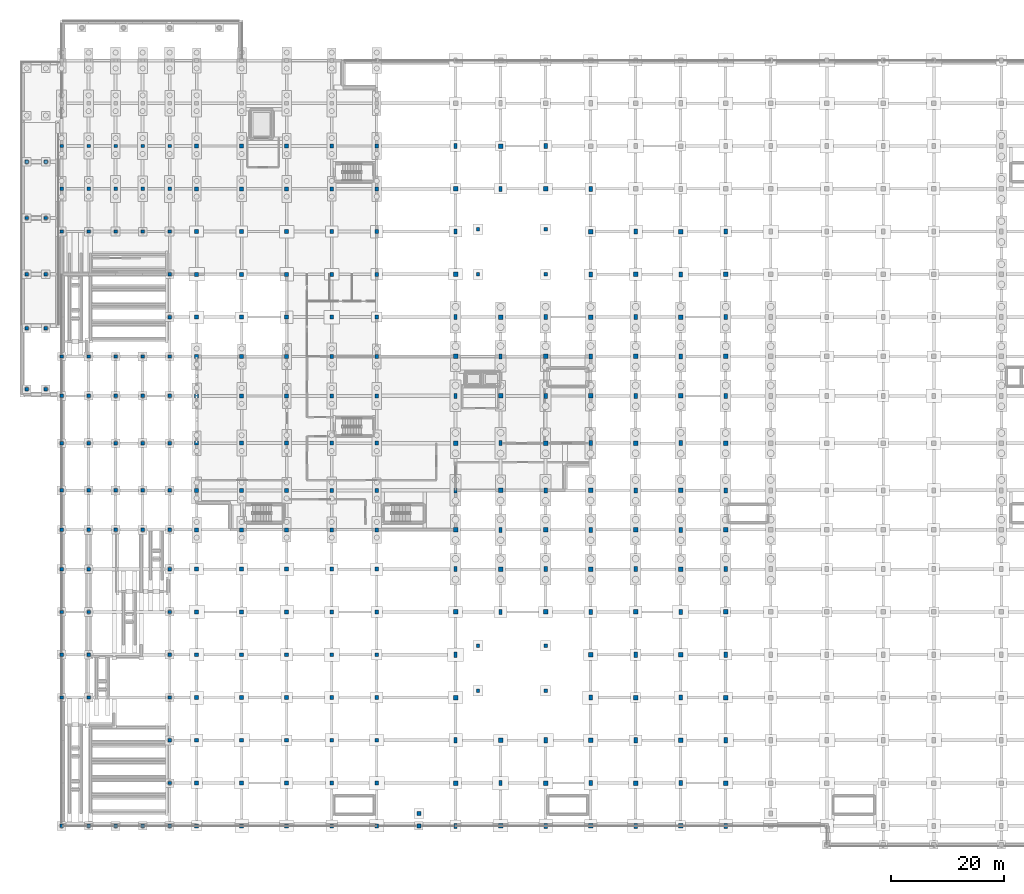
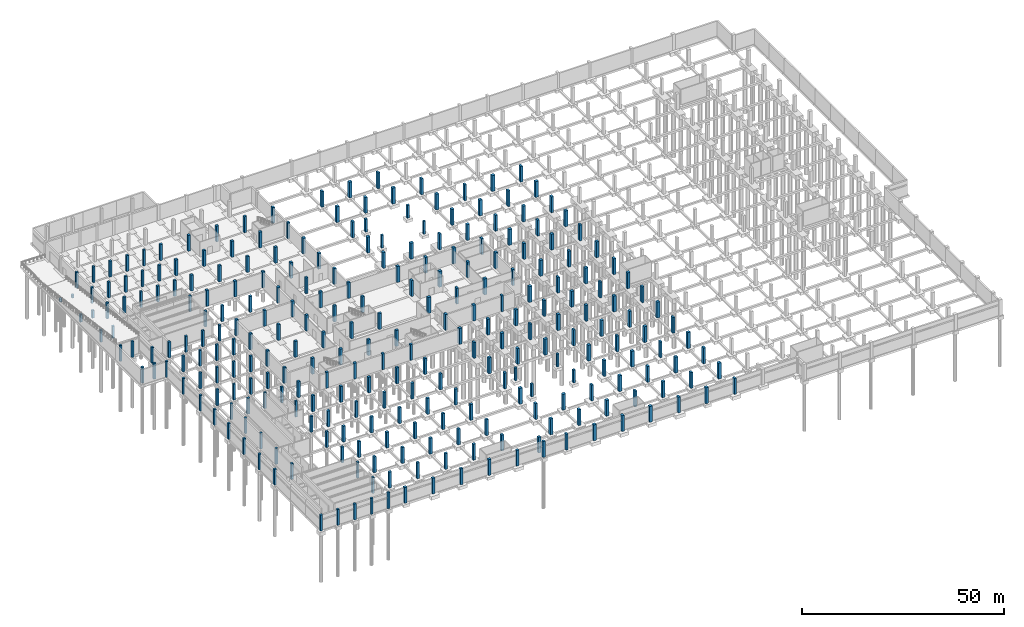
# One storey, part 28 of 50: 270 columns.
"""IFC4 building model written with IfcOpenShell, lengths in metres."""

from ifc_helpers import new_model, si_unit, direction, frame, origin, origin_2d, place, context, subcontext, project, spatial, rectangle, extrude, material, material_profile, profile_set, type_object, element, save


model = new_model("IFC4")

# Units and contexts
model_context = context("Model", 3, precision=1e-05, world=origin(), true_north=direction((0.0, 1.0)))
body_context = subcontext(model_context, "Body", "Model", "MODEL_VIEW")
ifc_project = project(units=[si_unit("LENGTHUNIT", "METRE"), si_unit("AREAUNIT", "SQUARE_METRE"), si_unit("VOLUMEUNIT", "CUBIC_METRE"), si_unit("PLANEANGLEUNIT", "RADIAN"), si_unit("MASSUNIT", "GRAM", prefix="KILO")], contexts=[model_context])

# Site, building, storey
site_placement = place(None, origin())
site = spatial("IfcSite", under=ifc_project, at=site_placement, CompositionType="ELEMENT")
building_placement = place(site_placement, origin())
building = spatial("IfcBuilding", under=site, at=building_placement, Name="Vekula Escarpment Museum", CompositionType="ELEMENT")
storey_placement = place(building_placement, frame((0.0, 0.0, -4.800048828125)))
storey = spatial("IfcBuildingStorey", under=building, at=storey_placement, Name="B1", CompositionType="ELEMENT", Elevation=-4.800048828125)

# Columns
ifc_material_1 = material(Name="Concrete C35/45", Category="concrete")
ifc_material_profile_1 = material_profile(ifc_material_1, rectangle(XDim=0.60009765625, YDim=0.60009765625, at=origin_2d()), Name="RC 600x600")
ifc_profile_set_1 = profile_set([ifc_material_profile_1], Name="Concrete C35/45")
column_type_1 = type_object("IfcColumnType", Name="COL-B1-RC600", PredefinedType="COLUMN", material=ifc_profile_set_1)
for number, where, z_axis, x_axis, name in (
    (1, (0.0, 0.0, 0.0), (0.0, 0.0, 1.0), (1.0, 0.0, 0.0), "Column B1 (0.0,0.0)"),
    (2, (0.0, 22.800048828125, 0.0), (0.0, 0.0, 1.0), (1.0, 0.0, 0.0), "Column B1 (0.0,22.8)"),
    (3, (0.0, 30.39990234375, 0.0), (0.0, 0.0, 1.0), (1.0, 0.0, 0.0), "Column B1 (0.0,30.4)"),
    (4, (0.0, 38.0, 0.0), (0.0, 0.0, 1.0), (1.0, 0.0, 0.0), "Column B1 (0.0,38.0)"),
    (5, (0.0, 45.60009765625, 0.0), (0.0, 0.0, 1.0), (1.0, 0.0, 0.0), "Column B1 (0.0,45.6)"),
    (6, (0.0, 52.60009765625, 0.0), (0.0, 0.0, 1.0), (1.0, 0.0, 0.0), "Column B1 (0.0,52.6)"),
    (7, (0.0, 59.60009765625, 0.0), (0.0, 0.0, 1.0), (1.0, 0.0, 0.0), "Column B1 (0.0,59.6)"),
    (8, (0.0, 68.0, 0.0), (0.0, 0.0, 1.0), (1.0, 0.0, 0.0), "Column B1 (0.0,68.0)"),
    (9, (0.0, 76.39990234375, 0.0), (0.0, 0.0, 1.0), (1.0, 0.0, 0.0), "Column B1 (0.0,76.4)"),
    (10, (0.0, 83.39990234375, 0.0), (0.0, 0.0, 1.0), (1.0, 0.0, 0.0), "Column B1 (0.0,83.4)"),
    (11, (0.0, 105.60009765625, 0.0), (0.0, 0.0, 1.0), (1.0, 0.0, 0.0), "Column B1 (0.0,105.6)"),
    (12, (0.0, 113.199951171875, 0.0), (0.0, 0.0, 1.0), (1.0, 0.0, 0.0), "Column B1 (0.0,113.2)"),
    (13, (0.0, 120.800048828125, 0.0), (0.0, 0.0, 1.0), (1.0, 0.0, 0.0), "Column B1 (0.0,120.8)"),
    (14, (4.800048828125, 0.0, 0.0), (0.0, 0.0, 1.0), (1.0, 0.0, 0.0), "Column B1 (4.8,0.0)"),
    (15, (4.800048828125, 22.800048828125, 0.0), (0.0, 0.0, 1.0), (1.0, 0.0, 0.0), "Column B1 (4.8,22.8)"),
    (16, (4.800048828125, 30.39990234375, 0.0), (0.0, 0.0, 1.0), (1.0, 0.0, 0.0), "Column B1 (4.8,30.4)"),
    (17, (4.800048828125, 38.0, 0.0), (0.0, 0.0, 1.0), (1.0, 0.0, 0.0), "Column B1 (4.8,38.0)"),
    (18, (4.800048828125, 45.60009765625, 0.0), (0.0, 0.0, 1.0), (1.0, 0.0, 0.0), "Column B1 (4.8,45.6)"),
    (19, (4.800048828125, 52.60009765625, 0.0), (0.0, 0.0, 1.0), (1.0, 0.0, 0.0), "Column B1 (4.8,52.6)"),
    (20, (4.800048828125, 59.60009765625, 0.0), (0.0, 0.0, 1.0), (1.0, 0.0, 0.0), "Column B1 (4.8,59.6)"),
    (21, (4.800048828125, 68.0, 0.0), (0.0, 0.0, 1.0), (1.0, 0.0, 0.0), "Column B1 (4.8,68.0)"),
    (22, (4.800048828125, 76.39990234375, 0.0), (0.0, 0.0, 1.0), (1.0, 0.0, 0.0), "Column B1 (4.8,76.4)"),
    (23, (4.800048828125, 83.39990234375, 0.0), (0.0, 0.0, 1.0), (1.0, 0.0, 0.0), "Column B1 (4.8,83.4)"),
    (24, (4.800048828125, 105.60009765625, 0.0), (0.0, 0.0, 1.0), (1.0, 0.0, 0.0), "Column B1 (4.8,105.6)"),
    (25, (4.800048828125, 113.199951171875, 0.0), (0.0, 0.0, 1.0), (1.0, 0.0, 0.0), "Column B1 (4.8,113.2)"),
    (26, (4.800048828125, 120.800048828125, 0.0), (0.0, 0.0, 1.0), (1.0, 0.0, 0.0), "Column B1 (4.8,120.8)"),
    (27, (9.60009765625, 0.0, 0.0), (0.0, 0.0, 1.0), (1.0, 0.0, 0.0), "Column B1 (9.6,0.0)"),
    (28, (9.60009765625, 52.60009765625, 0.0), (0.0, 0.0, 1.0), (1.0, 0.0, 0.0), "Column B1 (9.6,52.6)"),
    (29, (9.60009765625, 59.60009765625, 0.0), (0.0, 0.0, 1.0), (1.0, 0.0, 0.0), "Column B1 (9.6,59.6)"),
    (30, (9.60009765625, 68.0, 0.0), (0.0, 0.0, 1.0), (1.0, 0.0, 0.0), "Column B1 (9.6,68.0)"),
    (31, (9.60009765625, 76.39990234375, 0.0), (0.0, 0.0, 1.0), (1.0, 0.0, 0.0), "Column B1 (9.6,76.4)"),
    (32, (9.60009765625, 83.39990234375, 0.0), (0.0, 0.0, 1.0), (1.0, 0.0, 0.0), "Column B1 (9.6,83.4)"),
    (33, (9.60009765625, 105.60009765625, 0.0), (0.0, 0.0, 1.0), (1.0, 0.0, 0.0), "Column B1 (9.6,105.6)"),
    (34, (9.60009765625, 113.199951171875, 0.0), (0.0, 0.0, 1.0), (1.0, 0.0, 0.0), "Column B1 (9.6,113.2)"),
    (35, (9.60009765625, 120.800048828125, 0.0), (0.0, 0.0, 1.0), (1.0, 0.0, 0.0), "Column B1 (9.6,120.8)"),
    (36, (14.39990234375, 0.0, 0.0), (0.0, 0.0, 1.0), (1.0, 0.0, 0.0), "Column B1 (14.4,0.0)"),
    (37, (14.39990234375, 52.60009765625, 0.0), (0.0, 0.0, 1.0), (1.0, 0.0, 0.0), "Column B1 (14.4,52.6)"),
    (38, (14.39990234375, 59.60009765625, 0.0), (0.0, 0.0, 1.0), (1.0, 0.0, 0.0), "Column B1 (14.4,59.6)"),
    (39, (14.39990234375, 68.0, 0.0), (0.0, 0.0, 1.0), (1.0, 0.0, 0.0), "Column B1 (14.4,68.0)"),
    (40, (14.39990234375, 76.39990234375, 0.0), (0.0, 0.0, 1.0), (1.0, 0.0, 0.0), "Column B1 (14.4,76.4)"),
    (41, (14.39990234375, 83.39990234375, 0.0), (0.0, 0.0, 1.0), (1.0, 0.0, 0.0), "Column B1 (14.4,83.4)"),
    (42, (14.39990234375, 105.60009765625, 0.0), (0.0, 0.0, 1.0), (1.0, 0.0, 0.0), "Column B1 (14.4,105.6)"),
    (43, (14.39990234375, 113.199951171875, 0.0), (0.0, 0.0, 1.0), (1.0, 0.0, 0.0), "Column B1 (14.4,113.2)"),
    (44, (14.39990234375, 120.800048828125, 0.0), (0.0, 0.0, 1.0), (1.0, 0.0, 0.0), "Column B1 (14.4,120.8)"),
    (45, (19.199951171875, 0.0, 0.0), (0.0, 0.0, 1.0), (1.0, 0.0, 0.0), "Column B1 (19.2,0.0)"),
    (46, (19.199951171875, 7.60009765625, 0.0), (0.0, 0.0, 1.0), (1.0, 0.0, 0.0), "Column B1 (19.2,7.6)"),
    (47, (19.199951171875, 15.199951171875, 0.0), (0.0, 0.0, 1.0), (1.0, 0.0, 0.0), "Column B1 (19.2,15.2)"),
    (48, (19.199951171875, 22.800048828125, 0.0), (0.0, 0.0, 1.0), (1.0, 0.0, 0.0), "Column B1 (19.2,22.8)"),
    (49, (19.199951171875, 30.39990234375, 0.0), (0.0, 0.0, 1.0), (1.0, 0.0, 0.0), "Column B1 (19.2,30.4)"),
    (50, (19.199951171875, 38.0, 0.0), (0.0, 0.0, 1.0), (1.0, 0.0, 0.0), "Column B1 (19.2,38.0)"),
    (51, (19.199951171875, 45.60009765625, 0.0), (0.0, 0.0, 1.0), (1.0, 0.0, 0.0), "Column B1 (19.2,45.6)"),
    (52, (19.199951171875, 52.60009765625, 0.0), (0.0, 0.0, 1.0), (1.0, 0.0, 0.0), "Column B1 (19.2,52.6)"),
    (53, (19.199951171875, 59.60009765625, 0.0), (0.0, 0.0, 1.0), (1.0, 0.0, 0.0), "Column B1 (19.2,59.6)"),
    (54, (19.199951171875, 68.0, 0.0), (0.0, 0.0, 1.0), (1.0, 0.0, 0.0), "Column B1 (19.2,68.0)"),
    (55, (19.199951171875, 76.39990234375, 0.0), (0.0, 0.0, 1.0), (1.0, 0.0, 0.0), "Column B1 (19.2,76.4)"),
    (56, (19.199951171875, 83.39990234375, 0.0), (0.0, 0.0, 1.0), (1.0, 0.0, 0.0), "Column B1 (19.2,83.4)"),
    (57, (19.199951171875, 90.39990234375, 0.0), (0.0, 0.0, 1.0), (1.0, 0.0, 0.0), "Column B1 (19.2,90.4)"),
    (58, (19.199951171875, 98.0, 0.0), (0.0, 0.0, 1.0), (1.0, 0.0, 0.0), "Column B1 (19.2,98.0)"),
    (59, (19.199951171875, 105.60009765625, 0.0), (0.0, 0.0, 1.0), (1.0, 0.0, 0.0), "Column B1 (19.2,105.6)"),
    (60, (19.199951171875, 113.199951171875, 0.0), (0.0, 0.0, 1.0), (1.0, 0.0, 0.0), "Column B1 (19.2,113.2)"),
    (61, (19.199951171875, 120.800048828125, 0.0), (0.0, 0.0, 1.0), (1.0, 0.0, 0.0), "Column B1 (19.2,120.8)"),
):
    element("IfcColumn", number, at=place(storey_placement, frame(where, z_axis=z_axis, x_axis=x_axis)), inside=storey, type_object=column_type_1, Name=name, PredefinedType="COLUMN", context=body_context, shape_type="SweptSolid", body=[
        extrude(rectangle(XDim=0.60009765625, YDim=0.60009765625, at=origin_2d()), origin(), (0.0, 0.0, 1.0), 4.800048828125),
    ])
for number, where, z_axis, x_axis, name in (
    (62, (-6.199951171875, 77.60009765625, -0.300048828125), (0.0, 0.0, 1.0), (1.0, 0.0, 0.0), "Vehicle Ramp Support Pier 01"),
    (63, (-2.800048828125, 77.60009765625, -0.300048828125), (0.0, 0.0, 1.0), (1.0, 0.0, 0.0), "Vehicle Ramp Support Pier 02"),
    (64, (-6.199951171875, 88.39990234375, -0.300048828125), (0.0, 0.0, 1.0), (1.0, 0.0, 0.0), "Vehicle Ramp Support Pier 03"),
    (65, (-2.800048828125, 88.39990234375, -0.300048828125), (0.0, 0.0, 1.0), (1.0, 0.0, 0.0), "Vehicle Ramp Support Pier 04"),
):
    element("IfcColumn", number, at=place(storey_placement, frame(where, z_axis=z_axis, x_axis=x_axis)), inside=storey, type_object=column_type_1, Name=name, PredefinedType="COLUMN", context=body_context, shape_type="SweptSolid", body=[
        extrude(rectangle(XDim=0.60009765625, YDim=0.60009765625, at=origin_2d()), origin(), (0.0, 0.0, 1.0), 4.820068359375),
    ])
for number, where, z_axis, x_axis, name in (
    (66, (-6.199951171875, 98.0, -0.300048828125), (0.0, 0.0, 1.0), (1.0, 0.0, 0.0), "Vehicle Ramp Support Pier 05"),
    (67, (-2.800048828125, 98.0, -0.300048828125), (0.0, 0.0, 1.0), (1.0, 0.0, 0.0), "Vehicle Ramp Support Pier 06"),
):
    element("IfcColumn", number, at=place(storey_placement, frame(where, z_axis=z_axis, x_axis=x_axis)), inside=storey, type_object=column_type_1, Name=name, PredefinedType="COLUMN", context=body_context, shape_type="SweptSolid", body=[
        extrude(rectangle(XDim=0.60009765625, YDim=0.60009765625, at=origin_2d()), origin(), (0.0, 0.0, 1.0), 3.6201171875),
    ])
for number, where, z_axis, x_axis, name in (
    (68, (-6.199951171875, 108.0, -0.300048828125), (0.0, 0.0, 1.0), (1.0, 0.0, 0.0), "Vehicle Ramp Support Pier 07"),
    (69, (-2.800048828125, 108.0, -0.300048828125), (0.0, 0.0, 1.0), (1.0, 0.0, 0.0), "Vehicle Ramp Support Pier 08"),
):
    element("IfcColumn", number, at=place(storey_placement, frame(where, z_axis=z_axis, x_axis=x_axis)), inside=storey, type_object=column_type_1, Name=name, PredefinedType="COLUMN", context=body_context, shape_type="SweptSolid", body=[
        extrude(rectangle(XDim=0.60009765625, YDim=0.60009765625, at=origin_2d()), origin(), (0.0, 0.0, 1.0), 2.280029296875),
    ])
for number, where, z_axis, x_axis, name in (
    (70, (-6.199951171875, 118.0, -0.300048828125), (0.0, 0.0, 1.0), (1.0, 0.0, 0.0), "Vehicle Ramp Support Pier 09"),
    (71, (-2.800048828125, 118.0, -0.300048828125), (0.0, 0.0, 1.0), (1.0, 0.0, 0.0), "Vehicle Ramp Support Pier 10"),
):
    element("IfcColumn", number, at=place(storey_placement, frame(where, z_axis=z_axis, x_axis=x_axis)), inside=storey, type_object=column_type_1, Name=name, PredefinedType="COLUMN", context=body_context, shape_type="SweptSolid", body=[
        extrude(rectangle(XDim=0.60009765625, YDim=0.60009765625, at=origin_2d()), origin(), (0.0, 0.0, 1.0), 0.9501953125),
    ])
for number, where, z_axis, x_axis, name in (
    (72, (74.0, 24.0, 0.0), (0.0, 0.0, 1.0), (1.0, 0.0, 0.0), "Basin Support Pier S1"),
    (73, (86.0, 24.0, 0.0), (0.0, 0.0, 1.0), (1.0, 0.0, 0.0), "Basin Support Pier S2"),
    (74, (86.0, 32.0, 0.0), (0.0, 0.0, 1.0), (1.0, 0.0, 0.0), "Basin Support Pier S3"),
    (75, (74.0, 32.0, 0.0), (0.0, 0.0, 1.0), (1.0, 0.0, 0.0), "Basin Support Pier S4"),
    (76, (74.0, 98.0, 0.0), (0.0, 0.0, 1.0), (1.0, 0.0, 0.0), "Basin Support Pier N1"),
    (77, (86.0, 98.0, 0.0), (0.0, 0.0, 1.0), (1.0, 0.0, 0.0), "Basin Support Pier N2"),
    (78, (86.0, 106.0, 0.0), (0.0, 0.0, 1.0), (1.0, 0.0, 0.0), "Basin Support Pier N3"),
    (79, (74.0, 106.0, 0.0), (0.0, 0.0, 1.0), (1.0, 0.0, 0.0), "Basin Support Pier N4"),
):
    element("IfcColumn", number, at=place(storey_placement, frame(where, z_axis=z_axis, x_axis=x_axis)), inside=storey, type_object=column_type_1, Name=name, PredefinedType="COLUMN", context=body_context, shape_type="SweptSolid", body=[
        extrude(rectangle(XDim=0.60009765625, YDim=0.60009765625, at=origin_2d()), origin(), (0.0, 0.0, 1.0), 3.900146484375),
    ])
ifc_material_2 = material(Name="Concrete C35/45", Category="concrete")
ifc_material_profile_2 = material_profile(ifc_material_2, rectangle(XDim=0.60009765625, YDim=0.89990234375, at=origin_2d()), Name="RC 600x900")
ifc_profile_set_2 = profile_set([ifc_material_profile_2], Name="Concrete C35/45")
column_type_2 = type_object("IfcColumnType", Name="COL-B1-RC69", PredefinedType="COLUMN", material=ifc_profile_set_2)
for number, where, z_axis, x_axis, name in (
    (80, (70.0, 0.0, 0.0), (0.0, 0.0, 1.0), (1.0, 0.0, 0.0), "Column B1 (70.0,0.0)"),
    (81, (70.0, 15.199951171875, 0.0), (0.0, 0.0, 1.0), (1.0, 0.0, 0.0), "Column B1 (70.0,15.2)"),
    (82, (70.0, 30.39990234375, 0.0), (0.0, 0.0, 1.0), (1.0, 0.0, 0.0), "Column B1 (70.0,30.4)"),
    (83, (70.0, 45.60009765625, 0.0), (0.0, 0.0, 1.0), (1.0, 0.0, 0.0), "Column B1 (70.0,45.6)"),
    (84, (70.0, 59.60009765625, 0.0), (0.0, 0.0, 1.0), (1.0, 0.0, 0.0), "Column B1 (70.0,59.6)"),
    (85, (70.0, 76.39990234375, 0.0), (0.0, 0.0, 1.0), (1.0, 0.0, 0.0), "Column B1 (70.0,76.4)"),
    (86, (70.0, 90.39990234375, 0.0), (0.0, 0.0, 1.0), (1.0, 0.0, 0.0), "Column B1 (70.0,90.4)"),
    (87, (70.0, 105.60009765625, 0.0), (0.0, 0.0, 1.0), (1.0, 0.0, 0.0), "Column B1 (70.0,105.6)"),
    (88, (70.0, 120.800048828125, 0.0), (0.0, 0.0, 1.0), (1.0, 0.0, 0.0), "Column B1 (70.0,120.8)"),
    (89, (78.0, 7.60009765625, 0.0), (0.0, 0.0, 1.0), (1.0, 0.0, 0.0), "Column B1 (78.0,7.6)"),
    (90, (78.0, 38.0, 0.0), (0.0, 0.0, 1.0), (1.0, 0.0, 0.0), "Column B1 (78.0,38.0)"),
    (91, (78.0, 52.60009765625, 0.0), (0.0, 0.0, 1.0), (1.0, 0.0, 0.0), "Column B1 (78.0,52.6)"),
    (92, (78.0, 68.0, 0.0), (0.0, 0.0, 1.0), (1.0, 0.0, 0.0), "Column B1 (78.0,68.0)"),
    (93, (78.0, 83.39990234375, 0.0), (0.0, 0.0, 1.0), (1.0, 0.0, 0.0), "Column B1 (78.0,83.4)"),
    (94, (78.0, 113.199951171875, 0.0), (0.0, 0.0, 1.0), (1.0, 0.0, 0.0), "Column B1 (78.0,113.2)"),
    (95, (86.0, 0.0, 0.0), (0.0, 0.0, 1.0), (1.0, 0.0, 0.0), "Column B1 (86.0,0.0)"),
    (96, (86.0, 15.199951171875, 0.0), (0.0, 0.0, 1.0), (1.0, 0.0, 0.0), "Column B1 (86.0,15.2)"),
    (97, (86.0, 45.60009765625, 0.0), (0.0, 0.0, 1.0), (1.0, 0.0, 0.0), "Column B1 (86.0,45.6)"),
    (98, (86.0, 59.60009765625, 0.0), (0.0, 0.0, 1.0), (1.0, 0.0, 0.0), "Column B1 (86.0,59.6)"),
    (99, (86.0, 76.39990234375, 0.0), (0.0, 0.0, 1.0), (1.0, 0.0, 0.0), "Column B1 (86.0,76.4)"),
    (100, (86.0, 90.39990234375, 0.0), (0.0, 0.0, 1.0), (1.0, 0.0, 0.0), "Column B1 (86.0,90.4)"),
    (101, (86.0, 120.800048828125, 0.0), (0.0, 0.0, 1.0), (1.0, 0.0, 0.0), "Column B1 (86.0,120.8)"),
    (102, (94.0, 7.60009765625, 0.0), (0.0, 0.0, 1.0), (1.0, 0.0, 0.0), "Column B1 (94.0,7.6)"),
    (103, (94.0, 22.800048828125, 0.0), (0.0, 0.0, 1.0), (1.0, 0.0, 0.0), "Column B1 (94.0,22.8)"),
    (104, (94.0, 38.0, 0.0), (0.0, 0.0, 1.0), (1.0, 0.0, 0.0), "Column B1 (94.0,38.0)"),
    (105, (94.0, 52.60009765625, 0.0), (0.0, 0.0, 1.0), (1.0, 0.0, 0.0), "Column B1 (94.0,52.6)"),
    (106, (94.0, 68.0, 0.0), (0.0, 0.0, 1.0), (1.0, 0.0, 0.0), "Column B1 (94.0,68.0)"),
    (107, (94.0, 83.39990234375, 0.0), (0.0, 0.0, 1.0), (1.0, 0.0, 0.0), "Column B1 (94.0,83.4)"),
    (108, (94.0, 98.0, 0.0), (0.0, 0.0, 1.0), (1.0, 0.0, 0.0), "Column B1 (94.0,98.0)"),
    (109, (94.0, 113.199951171875, 0.0), (0.0, 0.0, 1.0), (1.0, 0.0, 0.0), "Column B1 (94.0,113.2)"),
    (110, (102.0, 0.0, 0.0), (0.0, 0.0, 1.0), (1.0, 0.0, 0.0), "Column B1 (102.0,0.0)"),
    (111, (102.0, 15.199951171875, 0.0), (0.0, 0.0, 1.0), (1.0, 0.0, 0.0), "Column B1 (102.0,15.2)"),
    (112, (102.0, 30.39990234375, 0.0), (0.0, 0.0, 1.0), (1.0, 0.0, 0.0), "Column B1 (102.0,30.4)"),
    (113, (102.0, 45.60009765625, 0.0), (0.0, 0.0, 1.0), (1.0, 0.0, 0.0), "Column B1 (102.0,45.6)"),
    (114, (102.0, 59.60009765625, 0.0), (0.0, 0.0, 1.0), (1.0, 0.0, 0.0), "Column B1 (102.0,59.6)"),
    (115, (102.0, 76.39990234375, 0.0), (0.0, 0.0, 1.0), (1.0, 0.0, 0.0), "Column B1 (102.0,76.4)"),
    (116, (102.0, 90.39990234375, 0.0), (0.0, 0.0, 1.0), (1.0, 0.0, 0.0), "Column B1 (102.0,90.4)"),
    (117, (102.0, 105.60009765625, 0.0), (0.0, 0.0, 1.0), (1.0, 0.0, 0.0), "Column B1 (102.0,105.6)"),
    (118, (110.0, 7.60009765625, 0.0), (0.0, 0.0, 1.0), (1.0, 0.0, 0.0), "Column B1 (110.0,7.6)"),
    (119, (110.0, 22.800048828125, 0.0), (0.0, 0.0, 1.0), (1.0, 0.0, 0.0), "Column B1 (110.0,22.8)"),
    (120, (110.0, 38.0, 0.0), (0.0, 0.0, 1.0), (1.0, 0.0, 0.0), "Column B1 (110.0,38.0)"),
    (121, (110.0, 52.60009765625, 0.0), (0.0, 0.0, 1.0), (1.0, 0.0, 0.0), "Column B1 (110.0,52.6)"),
    (122, (110.0, 68.0, 0.0), (0.0, 0.0, 1.0), (1.0, 0.0, 0.0), "Column B1 (110.0,68.0)"),
    (123, (110.0, 83.39990234375, 0.0), (0.0, 0.0, 1.0), (1.0, 0.0, 0.0), "Column B1 (110.0,83.4)"),
    (124, (110.0, 98.0, 0.0), (0.0, 0.0, 1.0), (1.0, 0.0, 0.0), "Column B1 (110.0,98.0)"),
    (125, (118.0, 0.0, 0.0), (0.0, 0.0, 1.0), (1.0, 0.0, 0.0), "Column B1 (118.0,0.0)"),
    (126, (118.0, 15.199951171875, 0.0), (0.0, 0.0, 1.0), (1.0, 0.0, 0.0), "Column B1 (118.0,15.2)"),
    (127, (118.0, 30.39990234375, 0.0), (0.0, 0.0, 1.0), (1.0, 0.0, 0.0), "Column B1 (118.0,30.4)"),
    (128, (118.0, 45.60009765625, 0.0), (0.0, 0.0, 1.0), (1.0, 0.0, 0.0), "Column B1 (118.0,45.6)"),
    (129, (118.0, 59.60009765625, 0.0), (0.0, 0.0, 1.0), (1.0, 0.0, 0.0), "Column B1 (118.0,59.6)"),
    (130, (118.0, 76.39990234375, 0.0), (0.0, 0.0, 1.0), (1.0, 0.0, 0.0), "Column B1 (118.0,76.4)"),
    (131, (118.0, 90.39990234375, 0.0), (0.0, 0.0, 1.0), (1.0, 0.0, 0.0), "Column B1 (118.0,90.4)"),
    (132, (118.0, 105.60009765625, 0.0), (0.0, 0.0, 1.0), (1.0, 0.0, 0.0), "Column B1 (118.0,105.6)"),
):
    element("IfcColumn", number, at=place(storey_placement, frame(where, z_axis=z_axis, x_axis=x_axis)), inside=storey, type_object=column_type_2, Name=name, PredefinedType="COLUMN", context=body_context, shape_type="SweptSolid", body=[
        extrude(rectangle(XDim=0.60009765625, YDim=0.89990234375, at=origin_2d()), origin(), (0.0, 0.0, 1.0), 4.800048828125),
    ])
ifc_material_3 = material(Name="Concrete C35/45", Category="concrete")
ifc_material_profile_3 = material_profile(ifc_material_3, rectangle(XDim=0.699951171875, YDim=0.699951171875, at=origin_2d()), Name="RC 700x700")
ifc_profile_set_3 = profile_set([ifc_material_profile_3], Name="Concrete C35/45")
column_type_3 = type_object("IfcColumnType", Name="COL-B1-RC700", PredefinedType="COLUMN", material=ifc_profile_set_3)
for number, where, z_axis, x_axis, name in (
    (133, (24.0, 0.0, 0.0), (0.0, 0.0, 1.0), (1.0, 0.0, 0.0), "Column B1 (24.0,0.0)"),
    (134, (24.0, 7.60009765625, 0.0), (0.0, 0.0, 1.0), (1.0, 0.0, 0.0), "Column B1 (24.0,7.6)"),
    (135, (24.0, 15.199951171875, 0.0), (0.0, 0.0, 1.0), (1.0, 0.0, 0.0), "Column B1 (24.0,15.2)"),
    (136, (24.0, 22.800048828125, 0.0), (0.0, 0.0, 1.0), (1.0, 0.0, 0.0), "Column B1 (24.0,22.8)"),
    (137, (24.0, 30.39990234375, 0.0), (0.0, 0.0, 1.0), (1.0, 0.0, 0.0), "Column B1 (24.0,30.4)"),
    (138, (24.0, 38.0, 0.0), (0.0, 0.0, 1.0), (1.0, 0.0, 0.0), "Column B1 (24.0,38.0)"),
    (139, (24.0, 45.60009765625, 0.0), (0.0, 0.0, 1.0), (1.0, 0.0, 0.0), "Column B1 (24.0,45.6)"),
    (140, (24.0, 52.60009765625, 0.0), (0.0, 0.0, 1.0), (1.0, 0.0, 0.0), "Column B1 (24.0,52.6)"),
    (141, (24.0, 59.60009765625, 0.0), (0.0, 0.0, 1.0), (1.0, 0.0, 0.0), "Column B1 (24.0,59.6)"),
    (142, (24.0, 68.0, 0.0), (0.0, 0.0, 1.0), (1.0, 0.0, 0.0), "Column B1 (24.0,68.0)"),
    (143, (24.0, 76.39990234375, 0.0), (0.0, 0.0, 1.0), (1.0, 0.0, 0.0), "Column B1 (24.0,76.4)"),
    (144, (24.0, 83.39990234375, 0.0), (0.0, 0.0, 1.0), (1.0, 0.0, 0.0), "Column B1 (24.0,83.4)"),
    (145, (24.0, 90.39990234375, 0.0), (0.0, 0.0, 1.0), (1.0, 0.0, 0.0), "Column B1 (24.0,90.4)"),
    (146, (24.0, 98.0, 0.0), (0.0, 0.0, 1.0), (1.0, 0.0, 0.0), "Column B1 (24.0,98.0)"),
    (147, (24.0, 105.60009765625, 0.0), (0.0, 0.0, 1.0), (1.0, 0.0, 0.0), "Column B1 (24.0,105.6)"),
    (148, (24.0, 113.199951171875, 0.0), (0.0, 0.0, 1.0), (1.0, 0.0, 0.0), "Column B1 (24.0,113.2)"),
    (149, (24.0, 120.800048828125, 0.0), (0.0, 0.0, 1.0), (1.0, 0.0, 0.0), "Column B1 (24.0,120.8)"),
    (150, (32.0, 0.0, 0.0), (0.0, 0.0, 1.0), (1.0, 0.0, 0.0), "Column B1 (32.0,0.0)"),
    (151, (32.0, 7.60009765625, 0.0), (0.0, 0.0, 1.0), (1.0, 0.0, 0.0), "Column B1 (32.0,7.6)"),
    (152, (32.0, 15.199951171875, 0.0), (0.0, 0.0, 1.0), (1.0, 0.0, 0.0), "Column B1 (32.0,15.2)"),
    (153, (32.0, 22.800048828125, 0.0), (0.0, 0.0, 1.0), (1.0, 0.0, 0.0), "Column B1 (32.0,22.8)"),
    (154, (32.0, 30.39990234375, 0.0), (0.0, 0.0, 1.0), (1.0, 0.0, 0.0), "Column B1 (32.0,30.4)"),
    (155, (32.0, 38.0, 0.0), (0.0, 0.0, 1.0), (1.0, 0.0, 0.0), "Column B1 (32.0,38.0)"),
    (156, (32.0, 45.60009765625, 0.0), (0.0, 0.0, 1.0), (1.0, 0.0, 0.0), "Column B1 (32.0,45.6)"),
    (157, (32.0, 52.60009765625, 0.0), (0.0, 0.0, 1.0), (1.0, 0.0, 0.0), "Column B1 (32.0,52.6)"),
    (158, (32.0, 59.60009765625, 0.0), (0.0, 0.0, 1.0), (1.0, 0.0, 0.0), "Column B1 (32.0,59.6)"),
    (159, (32.0, 68.0, 0.0), (0.0, 0.0, 1.0), (1.0, 0.0, 0.0), "Column B1 (32.0,68.0)"),
    (160, (32.0, 76.39990234375, 0.0), (0.0, 0.0, 1.0), (1.0, 0.0, 0.0), "Column B1 (32.0,76.4)"),
    (161, (32.0, 83.39990234375, 0.0), (0.0, 0.0, 1.0), (1.0, 0.0, 0.0), "Column B1 (32.0,83.4)"),
    (162, (32.0, 90.39990234375, 0.0), (0.0, 0.0, 1.0), (1.0, 0.0, 0.0), "Column B1 (32.0,90.4)"),
    (163, (32.0, 98.0, 0.0), (0.0, 0.0, 1.0), (1.0, 0.0, 0.0), "Column B1 (32.0,98.0)"),
    (164, (32.0, 105.60009765625, 0.0), (0.0, 0.0, 1.0), (1.0, 0.0, 0.0), "Column B1 (32.0,105.6)"),
    (165, (32.0, 113.199951171875, 0.0), (0.0, 0.0, 1.0), (1.0, 0.0, 0.0), "Column B1 (32.0,113.2)"),
    (166, (32.0, 120.800048828125, 0.0), (0.0, 0.0, 1.0), (1.0, 0.0, 0.0), "Column B1 (32.0,120.8)"),
    (167, (40.0, 0.0, 0.0), (0.0, 0.0, 1.0), (1.0, 0.0, 0.0), "Column B1 (40.0,0.0)"),
    (168, (40.0, 7.60009765625, 0.0), (0.0, 0.0, 1.0), (1.0, 0.0, 0.0), "Column B1 (40.0,7.6)"),
    (169, (40.0, 15.199951171875, 0.0), (0.0, 0.0, 1.0), (1.0, 0.0, 0.0), "Column B1 (40.0,15.2)"),
    (170, (40.0, 22.800048828125, 0.0), (0.0, 0.0, 1.0), (1.0, 0.0, 0.0), "Column B1 (40.0,22.8)"),
    (171, (40.0, 30.39990234375, 0.0), (0.0, 0.0, 1.0), (1.0, 0.0, 0.0), "Column B1 (40.0,30.4)"),
    (172, (40.0, 38.0, 0.0), (0.0, 0.0, 1.0), (1.0, 0.0, 0.0), "Column B1 (40.0,38.0)"),
    (173, (40.0, 45.60009765625, 0.0), (0.0, 0.0, 1.0), (1.0, 0.0, 0.0), "Column B1 (40.0,45.6)"),
    (174, (40.0, 52.60009765625, 0.0), (0.0, 0.0, 1.0), (1.0, 0.0, 0.0), "Column B1 (40.0,52.6)"),
    (175, (40.0, 59.60009765625, 0.0), (0.0, 0.0, 1.0), (1.0, 0.0, 0.0), "Column B1 (40.0,59.6)"),
    (176, (40.0, 68.0, 0.0), (0.0, 0.0, 1.0), (1.0, 0.0, 0.0), "Column B1 (40.0,68.0)"),
    (177, (40.0, 76.39990234375, 0.0), (0.0, 0.0, 1.0), (1.0, 0.0, 0.0), "Column B1 (40.0,76.4)"),
    (178, (40.0, 83.39990234375, 0.0), (0.0, 0.0, 1.0), (1.0, 0.0, 0.0), "Column B1 (40.0,83.4)"),
    (179, (40.0, 90.39990234375, 0.0), (0.0, 0.0, 1.0), (1.0, 0.0, 0.0), "Column B1 (40.0,90.4)"),
    (180, (40.0, 98.0, 0.0), (0.0, 0.0, 1.0), (1.0, 0.0, 0.0), "Column B1 (40.0,98.0)"),
    (181, (40.0, 105.60009765625, 0.0), (0.0, 0.0, 1.0), (1.0, 0.0, 0.0), "Column B1 (40.0,105.6)"),
    (182, (40.0, 113.199951171875, 0.0), (0.0, 0.0, 1.0), (1.0, 0.0, 0.0), "Column B1 (40.0,113.2)"),
    (183, (40.0, 120.800048828125, 0.0), (0.0, 0.0, 1.0), (1.0, 0.0, 0.0), "Column B1 (40.0,120.8)"),
    (184, (48.0, 0.0, 0.0), (0.0, 0.0, 1.0), (1.0, 0.0, 0.0), "Column B1 (48.0,0.0)"),
    (185, (48.0, 7.60009765625, 0.0), (0.0, 0.0, 1.0), (1.0, 0.0, 0.0), "Column B1 (48.0,7.6)"),
    (186, (48.0, 15.199951171875, 0.0), (0.0, 0.0, 1.0), (1.0, 0.0, 0.0), "Column B1 (48.0,15.2)"),
    (187, (48.0, 22.800048828125, 0.0), (0.0, 0.0, 1.0), (1.0, 0.0, 0.0), "Column B1 (48.0,22.8)"),
    (188, (48.0, 30.39990234375, 0.0), (0.0, 0.0, 1.0), (1.0, 0.0, 0.0), "Column B1 (48.0,30.4)"),
    (189, (48.0, 38.0, 0.0), (0.0, 0.0, 1.0), (1.0, 0.0, 0.0), "Column B1 (48.0,38.0)"),
    (190, (48.0, 45.60009765625, 0.0), (0.0, 0.0, 1.0), (1.0, 0.0, 0.0), "Column B1 (48.0,45.6)"),
    (191, (48.0, 52.60009765625, 0.0), (0.0, 0.0, 1.0), (1.0, 0.0, 0.0), "Column B1 (48.0,52.6)"),
    (192, (48.0, 59.60009765625, 0.0), (0.0, 0.0, 1.0), (1.0, 0.0, 0.0), "Column B1 (48.0,59.6)"),
    (193, (48.0, 68.0, 0.0), (0.0, 0.0, 1.0), (1.0, 0.0, 0.0), "Column B1 (48.0,68.0)"),
    (194, (48.0, 76.39990234375, 0.0), (0.0, 0.0, 1.0), (1.0, 0.0, 0.0), "Column B1 (48.0,76.4)"),
    (195, (48.0, 83.39990234375, 0.0), (0.0, 0.0, 1.0), (1.0, 0.0, 0.0), "Column B1 (48.0,83.4)"),
    (196, (48.0, 90.39990234375, 0.0), (0.0, 0.0, 1.0), (1.0, 0.0, 0.0), "Column B1 (48.0,90.4)"),
    (197, (48.0, 98.0, 0.0), (0.0, 0.0, 1.0), (1.0, 0.0, 0.0), "Column B1 (48.0,98.0)"),
    (198, (48.0, 105.60009765625, 0.0), (0.0, 0.0, 1.0), (1.0, 0.0, 0.0), "Column B1 (48.0,105.6)"),
    (199, (48.0, 113.199951171875, 0.0), (0.0, 0.0, 1.0), (1.0, 0.0, 0.0), "Column B1 (48.0,113.2)"),
    (200, (48.0, 120.800048828125, 0.0), (0.0, 0.0, 1.0), (1.0, 0.0, 0.0), "Column B1 (48.0,120.8)"),
    (201, (56.0, 0.0, 0.0), (0.0, 0.0, 1.0), (1.0, 0.0, 0.0), "Column B1 (56.0,0.0)"),
    (202, (56.0, 7.60009765625, 0.0), (0.0, 0.0, 1.0), (1.0, 0.0, 0.0), "Column B1 (56.0,7.6)"),
    (203, (56.0, 15.199951171875, 0.0), (0.0, 0.0, 1.0), (1.0, 0.0, 0.0), "Column B1 (56.0,15.2)"),
    (204, (56.0, 22.800048828125, 0.0), (0.0, 0.0, 1.0), (1.0, 0.0, 0.0), "Column B1 (56.0,22.8)"),
    (205, (56.0, 30.39990234375, 0.0), (0.0, 0.0, 1.0), (1.0, 0.0, 0.0), "Column B1 (56.0,30.4)"),
    (206, (56.0, 38.0, 0.0), (0.0, 0.0, 1.0), (1.0, 0.0, 0.0), "Column B1 (56.0,38.0)"),
    (207, (56.0, 45.60009765625, 0.0), (0.0, 0.0, 1.0), (1.0, 0.0, 0.0), "Column B1 (56.0,45.6)"),
    (208, (56.0, 52.60009765625, 0.0), (0.0, 0.0, 1.0), (1.0, 0.0, 0.0), "Column B1 (56.0,52.6)"),
    (209, (56.0, 59.60009765625, 0.0), (0.0, 0.0, 1.0), (1.0, 0.0, 0.0), "Column B1 (56.0,59.6)"),
    (210, (56.0, 68.0, 0.0), (0.0, 0.0, 1.0), (1.0, 0.0, 0.0), "Column B1 (56.0,68.0)"),
    (211, (56.0, 76.39990234375, 0.0), (0.0, 0.0, 1.0), (1.0, 0.0, 0.0), "Column B1 (56.0,76.4)"),
    (212, (56.0, 83.39990234375, 0.0), (0.0, 0.0, 1.0), (1.0, 0.0, 0.0), "Column B1 (56.0,83.4)"),
    (213, (56.0, 90.39990234375, 0.0), (0.0, 0.0, 1.0), (1.0, 0.0, 0.0), "Column B1 (56.0,90.4)"),
    (214, (56.0, 98.0, 0.0), (0.0, 0.0, 1.0), (1.0, 0.0, 0.0), "Column B1 (56.0,98.0)"),
    (215, (56.0, 105.60009765625, 0.0), (0.0, 0.0, 1.0), (1.0, 0.0, 0.0), "Column B1 (56.0,105.6)"),
    (216, (56.0, 113.199951171875, 0.0), (0.0, 0.0, 1.0), (1.0, 0.0, 0.0), "Column B1 (56.0,113.2)"),
    (217, (56.0, 120.800048828125, 0.0), (0.0, 0.0, 1.0), (1.0, 0.0, 0.0), "Column B1 (56.0,120.8)"),
    (218, (63.5, 0.0, 0.0), (0.0, 0.0, 1.0), (1.0, 0.0, 0.0), "Column B1 (63.5,0.0)"),
    (219, (63.5, 2.199951171875, 0.0), (0.0, 0.0, 1.0), (1.0, 0.0, 0.0), "Column B1 (63.5,2.2)"),
):
    element("IfcColumn", number, at=place(storey_placement, frame(where, z_axis=z_axis, x_axis=x_axis)), inside=storey, type_object=column_type_3, Name=name, PredefinedType="COLUMN", context=body_context, shape_type="SweptSolid", body=[
        extrude(rectangle(XDim=0.699951171875, YDim=0.699951171875, at=origin_2d()), origin(), (0.0, 0.0, 1.0), 4.800048828125),
    ])
ifc_material_4 = material(Name="Concrete C35/45", Category="concrete")
ifc_material_profile_4 = material_profile(ifc_material_4, rectangle(XDim=0.800048828125, YDim=0.800048828125, at=origin_2d()), Name="RC 800x800")
ifc_profile_set_4 = profile_set([ifc_material_profile_4], Name="Concrete C35/45")
column_type_4 = type_object("IfcColumnType", Name="COL-B1-RC800", PredefinedType="COLUMN", material=ifc_profile_set_4)
for number, where, z_axis, x_axis, name in (
    (220, (70.0, 7.60009765625, 0.0), (0.0, 0.0, 1.0), (1.0, 0.0, 0.0), "Column B1 (70.0,7.6)"),
    (221, (70.0, 22.800048828125, 0.0), (0.0, 0.0, 1.0), (1.0, 0.0, 0.0), "Column B1 (70.0,22.8)"),
    (222, (70.0, 38.0, 0.0), (0.0, 0.0, 1.0), (1.0, 0.0, 0.0), "Column B1 (70.0,38.0)"),
    (223, (70.0, 52.60009765625, 0.0), (0.0, 0.0, 1.0), (1.0, 0.0, 0.0), "Column B1 (70.0,52.6)"),
    (224, (70.0, 68.0, 0.0), (0.0, 0.0, 1.0), (1.0, 0.0, 0.0), "Column B1 (70.0,68.0)"),
    (225, (70.0, 83.39990234375, 0.0), (0.0, 0.0, 1.0), (1.0, 0.0, 0.0), "Column B1 (70.0,83.4)"),
    (226, (70.0, 98.0, 0.0), (0.0, 0.0, 1.0), (1.0, 0.0, 0.0), "Column B1 (70.0,98.0)"),
    (227, (70.0, 113.199951171875, 0.0), (0.0, 0.0, 1.0), (1.0, 0.0, 0.0), "Column B1 (70.0,113.2)"),
    (228, (78.0, 0.0, 0.0), (0.0, 0.0, 1.0), (1.0, 0.0, 0.0), "Column B1 (78.0,0.0)"),
    (229, (78.0, 15.199951171875, 0.0), (0.0, 0.0, 1.0), (1.0, 0.0, 0.0), "Column B1 (78.0,15.2)"),
    (230, (78.0, 45.60009765625, 0.0), (0.0, 0.0, 1.0), (1.0, 0.0, 0.0), "Column B1 (78.0,45.6)"),
    (231, (78.0, 59.60009765625, 0.0), (0.0, 0.0, 1.0), (1.0, 0.0, 0.0), "Column B1 (78.0,59.6)"),
    (232, (78.0, 76.39990234375, 0.0), (0.0, 0.0, 1.0), (1.0, 0.0, 0.0), "Column B1 (78.0,76.4)"),
    (233, (78.0, 90.39990234375, 0.0), (0.0, 0.0, 1.0), (1.0, 0.0, 0.0), "Column B1 (78.0,90.4)"),
    (234, (78.0, 120.800048828125, 0.0), (0.0, 0.0, 1.0), (1.0, 0.0, 0.0), "Column B1 (78.0,120.8)"),
    (235, (86.0, 7.60009765625, 0.0), (0.0, 0.0, 1.0), (1.0, 0.0, 0.0), "Column B1 (86.0,7.6)"),
    (236, (86.0, 38.0, 0.0), (0.0, 0.0, 1.0), (1.0, 0.0, 0.0), "Column B1 (86.0,38.0)"),
    (237, (86.0, 52.60009765625, 0.0), (0.0, 0.0, 1.0), (1.0, 0.0, 0.0), "Column B1 (86.0,52.6)"),
    (238, (86.0, 68.0, 0.0), (0.0, 0.0, 1.0), (1.0, 0.0, 0.0), "Column B1 (86.0,68.0)"),
    (239, (86.0, 83.39990234375, 0.0), (0.0, 0.0, 1.0), (1.0, 0.0, 0.0), "Column B1 (86.0,83.4)"),
    (240, (86.0, 113.199951171875, 0.0), (0.0, 0.0, 1.0), (1.0, 0.0, 0.0), "Column B1 (86.0,113.2)"),
    (241, (94.0, 0.0, 0.0), (0.0, 0.0, 1.0), (1.0, 0.0, 0.0), "Column B1 (94.0,0.0)"),
    (242, (94.0, 15.199951171875, 0.0), (0.0, 0.0, 1.0), (1.0, 0.0, 0.0), "Column B1 (94.0,15.2)"),
    (243, (94.0, 30.39990234375, 0.0), (0.0, 0.0, 1.0), (1.0, 0.0, 0.0), "Column B1 (94.0,30.4)"),
    (244, (94.0, 45.60009765625, 0.0), (0.0, 0.0, 1.0), (1.0, 0.0, 0.0), "Column B1 (94.0,45.6)"),
    (245, (94.0, 59.60009765625, 0.0), (0.0, 0.0, 1.0), (1.0, 0.0, 0.0), "Column B1 (94.0,59.6)"),
    (246, (94.0, 76.39990234375, 0.0), (0.0, 0.0, 1.0), (1.0, 0.0, 0.0), "Column B1 (94.0,76.4)"),
    (247, (94.0, 90.39990234375, 0.0), (0.0, 0.0, 1.0), (1.0, 0.0, 0.0), "Column B1 (94.0,90.4)"),
    (248, (94.0, 105.60009765625, 0.0), (0.0, 0.0, 1.0), (1.0, 0.0, 0.0), "Column B1 (94.0,105.6)"),
    (249, (102.0, 7.60009765625, 0.0), (0.0, 0.0, 1.0), (1.0, 0.0, 0.0), "Column B1 (102.0,7.6)"),
    (250, (102.0, 22.800048828125, 0.0), (0.0, 0.0, 1.0), (1.0, 0.0, 0.0), "Column B1 (102.0,22.8)"),
    (251, (102.0, 38.0, 0.0), (0.0, 0.0, 1.0), (1.0, 0.0, 0.0), "Column B1 (102.0,38.0)"),
    (252, (102.0, 52.60009765625, 0.0), (0.0, 0.0, 1.0), (1.0, 0.0, 0.0), "Column B1 (102.0,52.6)"),
    (253, (102.0, 68.0, 0.0), (0.0, 0.0, 1.0), (1.0, 0.0, 0.0), "Column B1 (102.0,68.0)"),
    (254, (102.0, 83.39990234375, 0.0), (0.0, 0.0, 1.0), (1.0, 0.0, 0.0), "Column B1 (102.0,83.4)"),
    (255, (102.0, 98.0, 0.0), (0.0, 0.0, 1.0), (1.0, 0.0, 0.0), "Column B1 (102.0,98.0)"),
    (256, (110.0, 0.0, 0.0), (0.0, 0.0, 1.0), (1.0, 0.0, 0.0), "Column B1 (110.0,0.0)"),
    (257, (110.0, 15.199951171875, 0.0), (0.0, 0.0, 1.0), (1.0, 0.0, 0.0), "Column B1 (110.0,15.2)"),
    (258, (110.0, 30.39990234375, 0.0), (0.0, 0.0, 1.0), (1.0, 0.0, 0.0), "Column B1 (110.0,30.4)"),
    (259, (110.0, 45.60009765625, 0.0), (0.0, 0.0, 1.0), (1.0, 0.0, 0.0), "Column B1 (110.0,45.6)"),
    (260, (110.0, 59.60009765625, 0.0), (0.0, 0.0, 1.0), (1.0, 0.0, 0.0), "Column B1 (110.0,59.6)"),
    (261, (110.0, 76.39990234375, 0.0), (0.0, 0.0, 1.0), (1.0, 0.0, 0.0), "Column B1 (110.0,76.4)"),
    (262, (110.0, 90.39990234375, 0.0), (0.0, 0.0, 1.0), (1.0, 0.0, 0.0), "Column B1 (110.0,90.4)"),
    (263, (110.0, 105.60009765625, 0.0), (0.0, 0.0, 1.0), (1.0, 0.0, 0.0), "Column B1 (110.0,105.6)"),
    (264, (118.0, 7.60009765625, 0.0), (0.0, 0.0, 1.0), (1.0, 0.0, 0.0), "Column B1 (118.0,7.6)"),
    (265, (118.0, 22.800048828125, 0.0), (0.0, 0.0, 1.0), (1.0, 0.0, 0.0), "Column B1 (118.0,22.8)"),
    (266, (118.0, 38.0, 0.0), (0.0, 0.0, 1.0), (1.0, 0.0, 0.0), "Column B1 (118.0,38.0)"),
    (267, (118.0, 52.60009765625, 0.0), (0.0, 0.0, 1.0), (1.0, 0.0, 0.0), "Column B1 (118.0,52.6)"),
    (268, (118.0, 68.0, 0.0), (0.0, 0.0, 1.0), (1.0, 0.0, 0.0), "Column B1 (118.0,68.0)"),
    (269, (118.0, 83.39990234375, 0.0), (0.0, 0.0, 1.0), (1.0, 0.0, 0.0), "Column B1 (118.0,83.4)"),
    (270, (118.0, 98.0, 0.0), (0.0, 0.0, 1.0), (1.0, 0.0, 0.0), "Column B1 (118.0,98.0)"),
):
    element("IfcColumn", number, at=place(storey_placement, frame(where, z_axis=z_axis, x_axis=x_axis)), inside=storey, type_object=column_type_4, Name=name, PredefinedType="COLUMN", context=body_context, shape_type="SweptSolid", body=[
        extrude(rectangle(XDim=0.800048828125, YDim=0.800048828125, at=origin_2d()), origin(), (0.0, 0.0, 1.0), 4.800048828125),
    ])

save(model, "model.ifc")
